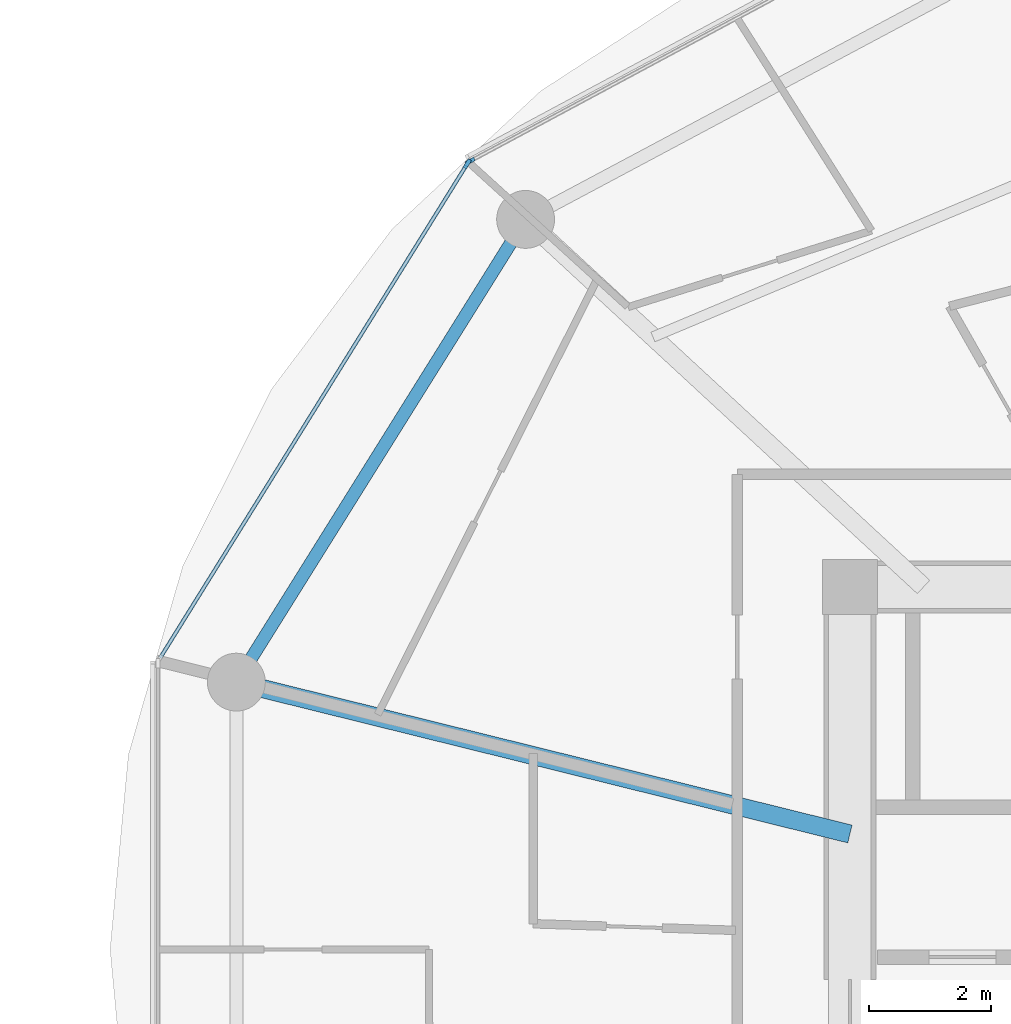
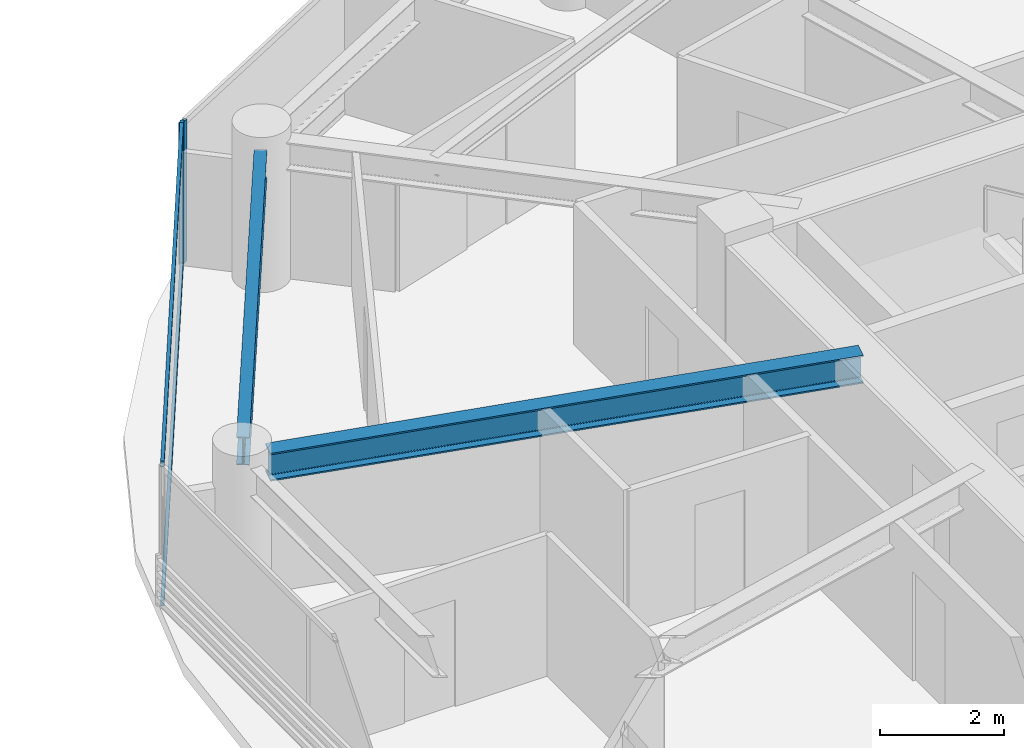
# One storey, part 8 of 25: 4 members, 2 beams, 2 elements without a shape of their own.
"""IFC4 building model written with IfcOpenShell, lengths in metres."""

from ifc_helpers import new_model, si_unit, direction, frame, origin, origin_2d, place, context, subcontext, project, spatial, rectangle, i_section, extrude, source, transform, mapped, material, layer, layer_set, material_profile, profile_set, type_object, type_shapes, element, aggregate, save


model = new_model("IFC4")

# Units and contexts
model_context = context("Model", 3, precision=1e-05, world=origin(), true_north=direction((0.0, 1.0)))
body_context = subcontext(model_context, "Body", "Model", "MODEL_VIEW")
ifc_project = project(units=[si_unit("LENGTHUNIT", "METRE"), si_unit("AREAUNIT", "SQUARE_METRE"), si_unit("VOLUMEUNIT", "CUBIC_METRE"), si_unit("PLANEANGLEUNIT", "RADIAN"), si_unit("MASSUNIT", "GRAM", prefix="KILO")], contexts=[model_context])

# Site, building, storey
site_placement = place(None, origin())
site = spatial("IfcSite", under=ifc_project, at=site_placement, CompositionType="ELEMENT")
building_placement = place(site_placement, origin())
building = spatial("IfcBuilding", under=site, at=building_placement, Name="Norrkilde Senior Care Towers", CompositionType="ELEMENT")
storey_placement = place(building_placement, frame((0.0, 0.0, 27.699951171875)))
storey = spatial("IfcBuildingStorey", under=building, at=storey_placement, Name="L07", CompositionType="ELEMENT", Elevation=27.699951171875)

# Beams
ifc_material_1 = material(Name="Steel S355", Category="steel")
ifc_material_profile_1 = material_profile(ifc_material_1, i_section(OverallWidth=0.2099609375, OverallDepth=0.550048828125, WebThickness=0.010986328125, FlangeThickness=0.01708984375, FilletRadius=0.02392578125, at=origin_2d()), Name="IPE 550")
ifc_profile_set_1 = profile_set([ifc_material_profile_1], Name="Steel S355")
beam_type_1 = type_object("IfcBeamType", Name="Perimeter Ring Spandrel Z1 IPE550", PredefinedType="SPANDREL", material=ifc_profile_set_1)
shared_shape_1 = source(origin(), body_context, "Body", "SweptSolid", [
    extrude(i_section(OverallWidth=0.2099609375, OverallDepth=0.550048828125, WebThickness=0.010986328125, FlangeThickness=0.01708984375, FilletRadius=0.02392578125, at=origin_2d()), origin(), (0.0, 0.0, 1.0), 8.090576171875),
])
type_shapes(beam_type_1, [shared_shape_1])
beam_1_placement = place(storey_placement, frame((14.7939453125, 11.61669921875, 2.51513671875), z_axis=(-0.530004364821, -0.84799491347, 0.0), x_axis=(0.84799491347, -0.530004364821, 0.0)))
element("IfcBeam", 1, at=beam_1_placement, inside=storey, type_object=beam_type_1, Name="L07 Drum E Perimeter Spandrel 05", PredefinedType="SPANDREL", context=body_context, shape_type="MappedRepresentation", body=[
    mapped(shared_shape_1, transform((0.0, 0.0, 0.0), x_axis=(1.0, 0.0, 0.0), y_axis=(0.0, 1.0, 0.0), z_axis=(0.0, 0.0, 1.0), scale=1.0)),
])
ifc_material_profile_2 = material_profile(ifc_material_1, i_section(OverallWidth=0.300048828125, OverallDepth=0.550048828125, WebThickness=0.014892578125, FlangeThickness=0.029052734375, FilletRadius=0.027099609375, at=origin_2d()), Name="HEB 550")
ifc_profile_set_2 = profile_set([ifc_material_profile_2], Name="Steel S355")
beam_type_2 = type_object("IfcBeamType", Name="Radial Floor Beam Z1 HEB550", PredefinedType="BEAM", material=ifc_profile_set_2)
shared_shape_2 = source(origin(), body_context, "Body", "SweptSolid", [
    extrude(i_section(OverallWidth=0.300048828125, OverallDepth=0.550048828125, WebThickness=0.014892578125, FlangeThickness=0.029052734375, FilletRadius=0.027099609375, at=origin_2d()), origin(), (0.0, 0.0, 1.0), 9.94384765625),
])
type_shapes(beam_type_2, [shared_shape_2])
beam_2_placement = place(storey_placement, frame((20.35009765625, 1.893310546875, 2.51513671875), z_axis=(-0.970707425182, 0.240264634718, 0.0), x_axis=(-0.240264634718, -0.970707425182, 0.0)))
element("IfcBeam", 2, at=beam_2_placement, inside=storey, type_object=beam_type_2, Name="L07 Drum E Radial Floor Beam 06", PredefinedType="BEAM", context=body_context, shape_type="MappedRepresentation", body=[
    mapped(shared_shape_2, transform((0.0, 0.0, 0.0), x_axis=(1.0, 0.0, 0.0), y_axis=(0.0, 1.0, 0.0), z_axis=(0.0, 0.0, 1.0), scale=1.0)),
])

# Curtain wall, member
ifc_material_2 = material(Name="Triple Low-E Insulated Glazing", Category="glass")
ifc_layer = layer(ifc_material_2, 0.199951171875)
ifc_layer_set = layer_set([ifc_layer], Name="Triple Low-E Insulated Glazing")
curtain_wall_type = type_object("IfcCurtainWallType", Name="CW2 Zone 1 Memory Care Curtain Wall", PredefinedType="NOTDEFINED", material=ifc_layer_set)
curtain_wall_1_placement = place(storey_placement, origin())
curtain_wall_1 = element("IfcCurtainWall", 3, at=curtain_wall_1_placement, inside=storey, type_object=curtain_wall_type, Name="L07 Drum E Curtain Wall 03", PredefinedType="NOTDEFINED")
ifc_material_3 = material(Name="Anodised Aluminium", Category="aluminium")
ifc_material_profile_3 = material_profile(ifc_material_3, rectangle(XDim=0.06494140625, YDim=0.159912109375, at=origin_2d()), Name="ALU MULL 65x160")
ifc_profile_set_3 = profile_set([ifc_material_profile_3], Name="Anodised Aluminium")
member_type_1 = type_object("IfcMemberType", Name="Curtain Wall Mullion Z1-Z2 65x160", PredefinedType="MULLION", material=ifc_profile_set_3)
shared_shape_3 = source(origin(), body_context, "Body", "SweptSolid", [
    extrude(rectangle(XDim=0.06494140625, YDim=0.159912109375, at=origin_2d()), origin(), (0.0, 0.0, 1.0), 2.7900390625),
])
type_shapes(member_type_1, [shared_shape_3])
member_1_placement = place(storey_placement, frame((14.11279296875, 12.941162109375, 0.0), z_axis=(0.0, 0.0, 1.0), x_axis=(-0.472607802456, 0.881272866403, 0.0)))
member_1 = element("IfcMember", 4, at=member_1_placement, type_object=member_type_1, Name="CW-2 mullion 1", PredefinedType="MULLION", context=body_context, shape_type="MappedRepresentation", body=[
    mapped(shared_shape_3, transform((0.0, 0.0, 0.0), x_axis=(1.0, 0.0, 0.0), y_axis=(0.0, 1.0, 0.0), z_axis=(0.0, 0.0, 1.0), scale=1.0)),
])
aggregate(curtain_wall_1, [member_1])

# Curtain wall, members
curtain_wall_2_placement = place(storey_placement, origin())
curtain_wall_2 = element("IfcCurtainWall", 5, at=curtain_wall_2_placement, inside=storey, type_object=curtain_wall_type, Name="L07 Drum E Curtain Wall 04", PredefinedType="NOTDEFINED")
member_2_placement = place(storey_placement, frame((14.06689453125, 12.898193359375, 0.0), z_axis=(0.0, 0.0, 1.0), x_axis=(-0.849305943117, 0.527900951871, 0.0)))
member_2 = element("IfcMember", 6, at=member_2_placement, type_object=member_type_1, Name="CW-2 mullion 2", PredefinedType="MULLION", context=body_context, shape_type="MappedRepresentation", body=[
    mapped(shared_shape_3, transform((0.0, 0.0, 0.0), x_axis=(1.0, 0.0, 0.0), y_axis=(0.0, 1.0, 0.0), z_axis=(0.0, 0.0, 1.0), scale=1.0)),
])
ifc_material_profile_4 = material_profile(ifc_material_3, rectangle(XDim=0.06005859375, YDim=0.1201171875, at=origin_2d()), Name="ALU TRAN 60x120")
ifc_profile_set_4 = profile_set([ifc_material_profile_4], Name="Anodised Aluminium")
member_type_2 = type_object("IfcMemberType", Name="Curtain Wall Transom Typical 60x120", PredefinedType="USERDEFINED", material=ifc_profile_set_4)
shared_shape_4 = source(origin(), body_context, "Body", "SweptSolid", [
    extrude(rectangle(XDim=0.06005859375, YDim=0.1201171875, at=origin_2d()), origin(), (0.0, 0.0, 1.0), 9.5185546875),
])
type_shapes(member_type_2, [shared_shape_4])
member_3_placement = place(storey_placement, frame((9.02490234375, 4.786376953125, 0.030029296875), z_axis=(0.527901620669, 0.849305527413, 0.0), x_axis=(-0.849305527413, 0.527901620669, 0.0)))
member_3 = element("IfcMember", 7, at=member_3_placement, type_object=member_type_2, Name="CW-2 transom 1.1", ObjectType="TRANSOM", PredefinedType="USERDEFINED", context=body_context, shape_type="MappedRepresentation", body=[
    mapped(shared_shape_4, transform((0.0, 0.0, 0.0), x_axis=(1.0, 0.0, 0.0), y_axis=(0.0, 1.0, 0.0), z_axis=(0.0, 0.0, 1.0), scale=1.0)),
])
member_4_placement = place(storey_placement, frame((9.02490234375, 4.786376953125, 2.760009765625), z_axis=(0.527901620669, 0.849305527413, 0.0), x_axis=(-0.849305527413, 0.527901620669, 0.0)))
member_4 = element("IfcMember", 8, at=member_4_placement, type_object=member_type_2, Name="CW-2 transom 1.2", ObjectType="TRANSOM", PredefinedType="USERDEFINED", context=body_context, shape_type="MappedRepresentation", body=[
    mapped(shared_shape_4, transform((0.0, 0.0, 0.0), x_axis=(1.0, 0.0, 0.0), y_axis=(0.0, 1.0, 0.0), z_axis=(0.0, 0.0, 1.0), scale=1.0)),
])
aggregate(curtain_wall_2, [member_2, member_3, member_4])

save(model, "model.ifc")
